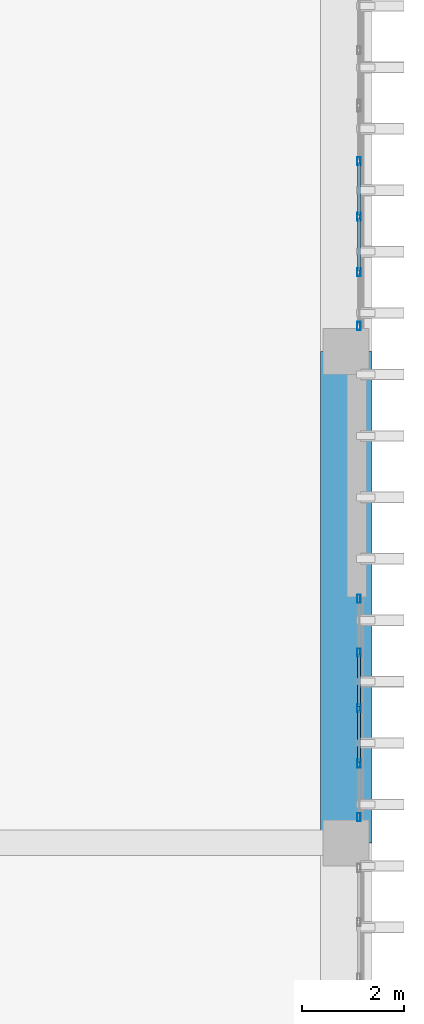
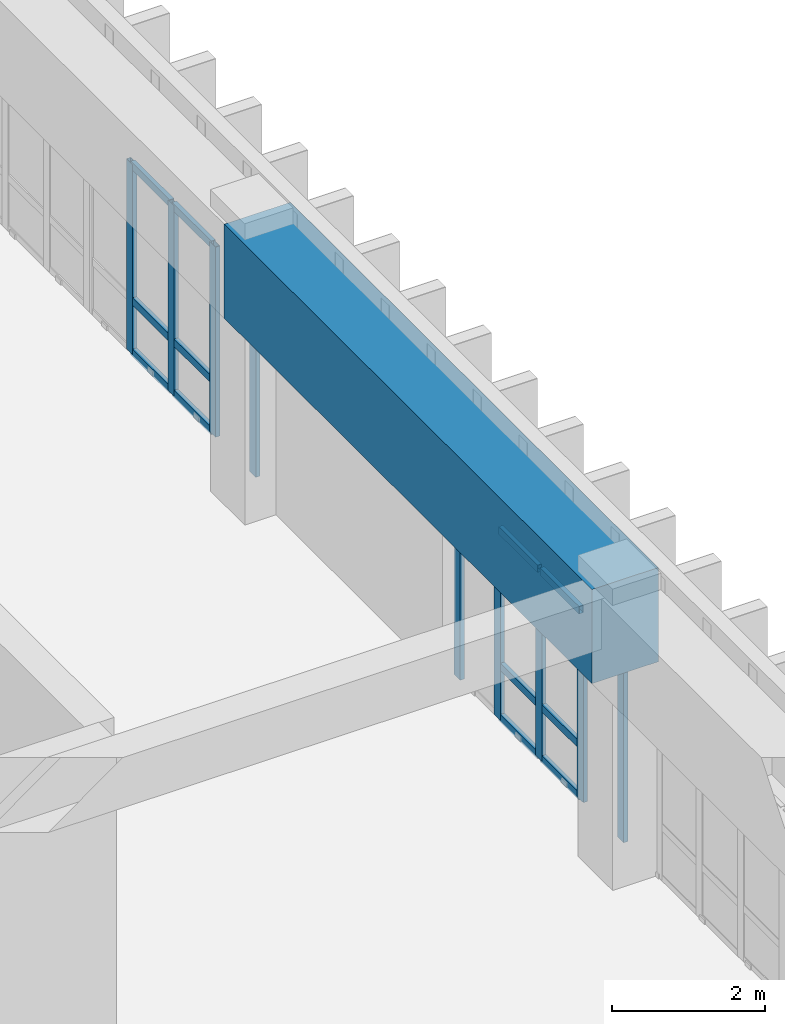
# One storey, part 42 of 101: 21 members, 1 beam, 2 elements without a shape of their own.
"""IFC4 building model written with IfcOpenShell, lengths in metres."""

import ifcopenshell
import ifcopenshell.guid

model = None  # the IFC model being written
_history = None  # IfcOwnerHistory: only IFC2X3 demands one
_inside = {}  # id of a spatial element -> (the spatial element, [elements in it])
_under = {}  # id of a project, library or spatial element -> (it, [spatial elements below it])
_declared = {}  # id of a project -> (the project, [libraries it declares])
_typed = {}  # id of a type object -> (the type object, [elements of that type])
_made_of = {}  # id of a material, layer set ... -> (it, [elements and type objects made of it])


def new_model(schema):
    """Start an empty IFC model of exactly this schema.

    Asked for "IFC4X3", IfcOpenShell would pick the latest addendum, in which some entities
    have other attributes; the version numbers below select the first issue.
    IFC2X3 requires an IfcOwnerHistory on every rooted entity: one is made here for all.
    """
    global model, _history
    if schema == "IFC4X3":
        model = ifcopenshell.file(schema_version=(4, 3, 0, 0))
    else:
        model = ifcopenshell.file(schema=schema)
    _inside.clear()
    _under.clear()
    _declared.clear()
    _typed.clear()
    _made_of.clear()
    _history = None
    if model.schema == "IFC2X3":
        org = make("IfcOrganization", Name="unknown")
        user = make(
            "IfcPersonAndOrganization",
            ThePerson=make("IfcPerson", FamilyName="unknown"),
            TheOrganization=org,
        )
        app = make(
            "IfcApplication",
            ApplicationDeveloper=org,
            Version="unknown",
            ApplicationFullName="unknown",
            ApplicationIdentifier="unknown",
        )
        _history = make(
            "IfcOwnerHistory",
            OwningUser=user,
            OwningApplication=app,
            ChangeAction="ADDED",
            CreationDate=0,
        )
    return model


def make(cls, **values):
    """One entity of the class cls with the attributes given. An attribute that is None is left unset."""
    return model.create_entity(
        cls, **{name: value for name, value in values.items() if value is not None}
    )


def rooted(cls, **values):
    """An entity with a GlobalId (a new one), such as an element, a storey or a relation."""
    return make(cls, GlobalId=ifcopenshell.guid.new(), OwnerHistory=_history, **values)


def si_unit(unit_type, name, prefix=None):
    """IfcSIUnit, for example si_unit("LENGTHUNIT", "METRE", prefix="MILLI")."""
    return make("IfcSIUnit", UnitType=unit_type, Prefix=prefix, Name=name)


def assignment(units):
    """IfcUnitAssignment: the units of a project."""
    return None if units is None else make("IfcUnitAssignment", Units=units)


def point(xyz):
    """IfcCartesianPoint."""
    return None if xyz is None else make("IfcCartesianPoint", Coordinates=xyz)


def direction(xyz):
    """IfcDirection."""
    return None if xyz is None else make("IfcDirection", DirectionRatios=xyz)


def frame(location, z_axis=None, x_axis=None):
    """IfcAxis2Placement3D, a coordinate frame: its origin and axes. An axis left out is left unset."""
    return make(
        "IfcAxis2Placement3D",
        Location=point(location),
        Axis=direction(z_axis),
        RefDirection=direction(x_axis),
    )


def frame_2d(location, x_axis=None):
    """IfcAxis2Placement2D, a coordinate frame in the plane: its origin and x axis."""
    return make(
        "IfcAxis2Placement2D", Location=point(location), RefDirection=direction(x_axis)
    )


def origin():
    """The frame at (0, 0, 0) with its axes left unset."""
    return frame((0.0, 0.0, 0.0))


def origin_2d():
    """The frame at (0, 0) in the plane with its x axis left unset."""
    return frame_2d((0.0, 0.0))


def place(relative_to, where):
    """IfcLocalPlacement: puts the frame where relative to a parent placement (None: the world)."""
    return make(
        "IfcLocalPlacement", PlacementRelTo=relative_to, RelativePlacement=where
    )


def context(
    kind, dimensions, precision=None, world=None, true_north=None, identifier=None
):
    """IfcGeometricRepresentationContext, for example the 3D "Model" context."""
    return make(
        "IfcGeometricRepresentationContext",
        ContextIdentifier=identifier,
        ContextType=kind,
        CoordinateSpaceDimension=dimensions,
        Precision=precision,
        WorldCoordinateSystem=world,
        TrueNorth=true_north,
    )


def subcontext(parent, identifier, kind, view, scale=None):
    """IfcGeometricRepresentationSubContext, for example "Body" below "Model"."""
    return make(
        "IfcGeometricRepresentationSubContext",
        ContextIdentifier=identifier,
        ContextType=kind,
        ParentContext=parent,
        TargetScale=scale,
        TargetView=view,
    )


def project(units=None, contexts=None):
    """IfcProject with its units and contexts."""
    return rooted(
        "IfcProject",
        Name="project",
        RepresentationContexts=contexts,
        UnitsInContext=assignment(units),
    )


def spatial(cls, under=None, at=None, **own):
    """A site, building, storey or space (cls), placed at a placement, below another one or the project."""
    s = rooted(cls, ObjectPlacement=at, **own)
    if under is not None:
        _under.setdefault(under.id(), (under, []))[1].append(s)
    return s


def profile(cls, at=None, kind="AREA", **sizes):
    """A parametric profile (cls). Its sizes go by their IFC names, for example OverallWidth=200.0."""
    return make(cls, ProfileType=kind, Position=at, **sizes)


def rectangle(**sizes):
    """IfcRectangleProfileDef."""
    return profile("IfcRectangleProfileDef", **sizes)


def hollow_rectangle(**sizes):
    """IfcRectangleHollowProfileDef."""
    return profile("IfcRectangleHollowProfileDef", **sizes)


def extrude(swept, where, along, depth):
    """IfcExtrudedAreaSolid: the profile swept, set in the frame where, extruded along a direction by depth."""
    return make(
        "IfcExtrudedAreaSolid",
        SweptArea=swept,
        Position=where,
        ExtrudedDirection=direction(along),
        Depth=depth,
    )


def shape(context_of_items, identifier, shape_type, items):
    """IfcShapeRepresentation: the items that make up one representation, for example the "Body"."""
    return make(
        "IfcShapeRepresentation",
        ContextOfItems=context_of_items,
        RepresentationIdentifier=identifier,
        RepresentationType=shape_type,
        Items=items,
    )


def material(Name=None, Category=None):
    """IfcMaterial."""
    return make("IfcMaterial", Name=Name, Category=Category)


def layer(
    of_material, thickness, ventilated=None, Name=None, Category=None, Priority=None
):
    """IfcMaterialLayer: one layer of a wall or slab, of a material (None: an air gap)."""
    return make(
        "IfcMaterialLayer",
        Material=of_material,
        LayerThickness=thickness,
        IsVentilated=ventilated,
        Name=Name,
        Category=Category,
        Priority=Priority,
    )


def layer_set(layers, Name=None):
    """IfcMaterialLayerSet."""
    return make("IfcMaterialLayerSet", MaterialLayers=layers, LayerSetName=Name)


def material_profile(
    of_material, cross_section, Name=None, Category=None, Priority=None
):
    """IfcMaterialProfile: a cross section and its material."""
    return make(
        "IfcMaterialProfile",
        Name=Name,
        Material=of_material,
        Profile=cross_section,
        Priority=Priority,
        Category=Category,
    )


def profile_set(profiles, Name=None, composite=None):
    """IfcMaterialProfileSet."""
    return make(
        "IfcMaterialProfileSet",
        Name=Name,
        MaterialProfiles=profiles,
        CompositeProfile=composite,
    )


def made_of(thing, what):
    """Note that an element or type object is made of a material, layer set ...; save() writes the relation."""
    if what is not None:
        _made_of.setdefault(what.id(), (what, []))[1].append(thing)
    return thing


def type_object(cls, material=None, **own):
    """A type object (cls), such as IfcWallType, which elements share."""
    return made_of(rooted(cls, **own), material)


def element(
    cls,
    number,
    at=None,
    inside=None,
    cuts=None,
    type_object=None,
    material=None,
    context=None,
    identifier="Body",
    shape_type=None,
    held_by="IfcProductDefinitionShape",
    body=None,
    shapes=None,
    **own,
):
    """One element of the class cls, such as IfcWall. Its Tag is "e" and its number.

    at: its placement. inside: the storey or other place that contains it. cuts: it is an
    opening in that element (IfcRelVoidsElement). A single representation is given by context,
    identifier, shape_type and body (its items); several are given by shapes. held_by: the class
    of the entity that holds the representations. save() writes the other relations.
    """
    e = rooted(cls, Tag="e%d" % number, ObjectPlacement=at, **own)
    if body is not None:
        shapes = [shape(context, identifier, shape_type, body)]
    if shapes is not None:
        e.Representation = make(held_by, Representations=shapes)
    if inside is not None:
        _inside.setdefault(inside.id(), (inside, []))[1].append(e)
    if cuts is not None:
        rooted(
            "IfcRelVoidsElement", RelatingBuildingElement=cuts, RelatedOpeningElement=e
        )
    if type_object is not None:
        _typed.setdefault(type_object.id(), (type_object, []))[1].append(e)
    return made_of(e, material)


def aggregate(whole, parts):
    """IfcRelAggregates: a whole, such as a stair, and the parts it consists of."""
    return rooted("IfcRelAggregates", RelatingObject=whole, RelatedObjects=parts)


def save(model, path):
    """Write the relations noted so far, then the file.

    IfcRelAggregates (storeys below a building ...), IfcRelContainedInSpatialStructure (elements
    in a storey), IfcRelDefinesByType, IfcRelAssociatesMaterial and IfcRelDeclares: one each for
    every whole, place, type object, material and project.
    """
    for whole, parts in _under.values():
        aggregate(whole, parts)
    for where, things in _inside.values():
        rooted(
            "IfcRelContainedInSpatialStructure",
            RelatedElements=things,
            RelatingStructure=where,
        )
    for kind, things in _typed.values():
        rooted("IfcRelDefinesByType", RelatedObjects=things, RelatingType=kind)
    for what, things in _made_of.values():
        rooted("IfcRelAssociatesMaterial", RelatedObjects=things, RelatingMaterial=what)
    for by, libraries in _declared.values():
        rooted("IfcRelDeclares", RelatingContext=by, RelatedDefinitions=libraries)
    model.write(path)


model = new_model("IFC4")

# Units and contexts
model_context = context("Model", 3, precision=1e-05, world=origin(), true_north=direction((0.0, 1.0)))
body_context = subcontext(model_context, "Body", "Model", "MODEL_VIEW")
ifc_project = project(units=[si_unit("LENGTHUNIT", "METRE"), si_unit("AREAUNIT", "SQUARE_METRE"), si_unit("VOLUMEUNIT", "CUBIC_METRE"), si_unit("PLANEANGLEUNIT", "RADIAN"), si_unit("MASSUNIT", "GRAM", prefix="KILO")], contexts=[model_context])

# Site, building, storey
site_placement = place(None, origin())
site = spatial("IfcSite", under=ifc_project, at=site_placement, CompositionType="ELEMENT")
building_placement = place(site_placement, origin())
building = spatial("IfcBuilding", under=site, at=building_placement, Name="Nakhvara Creek Congress Hotel", CompositionType="ELEMENT")
storey_placement = place(building_placement, frame((0.0, 0.0, 16.199951171875)))
storey = spatial("IfcBuildingStorey", under=building, at=storey_placement, Name="L03", CompositionType="ELEMENT", Elevation=16.199951171875)

# Beam
ifc_material_1 = material(Name="Concrete C50/60", Category="concrete")
ifc_material_profile_1 = material_profile(ifc_material_1, rectangle(XDim=1.0, YDim=1.5, at=origin_2d()), Name="RC-TG 1000x1500", Category="LoadBearing")
ifc_profile_set_1 = profile_set([ifc_material_profile_1], Name="Concrete C50/60")
beam_type = type_object("IfcBeamType", Name="BM-TG2-1500", PredefinedType="BEAM", material=ifc_profile_set_1)
beam_placement = place(storey_placement, frame((179.35009765625, 48.0, 3.7900390625), z_axis=(0.0, 1.0, 0.0), x_axis=(-1.0, 0.0, 0.0)))
element("IfcBeam", 1, at=beam_placement, inside=storey, type_object=beam_type, Name="Transfer Girder TG2-L03-1901", PredefinedType="BEAM", context=body_context, shape_type="SweptSolid", body=[
    extrude(rectangle(XDim=1.0, YDim=1.5, at=origin_2d()), origin(), (0.0, 0.0, 1.0), 9.60009765625),
])

# Curtain wall, members
ifc_material_2 = material(Name="Bronze-anodised aluminium AW-6063-T6 and double-silver low-E glass", Category="aluminium")
ifc_layer = layer(ifc_material_2, 0.199951171875)
ifc_layer_set = layer_set([ifc_layer], Name="Bronze-anodised aluminium AW-6063-T6 and double-silver low-E glass")
curtain_wall_type = type_object("IfcCurtainWallType", Name="CW-HTL-UNIT", PredefinedType="USERDEFINED", material=ifc_layer_set)
curtain_wall_1_placement = place(storey_placement, origin())
curtain_wall_1 = element("IfcCurtainWall", 2, at=curtain_wall_1_placement, inside=storey, type_object=curtain_wall_type, Name="Curtain Wall CW157", ObjectType="UNITISED", PredefinedType="USERDEFINED")
ifc_material_3 = material(Name="Bronze-anodised aluminium AW-6063-T6", Category="aluminium")
ifc_material_profile_2 = material_profile(ifc_material_3, hollow_rectangle(XDim=0.06494140625, YDim=0.159912109375, WallThickness=0.00390625, at=origin_2d()), Name="ALU-MULL 65x160x4", Category="LoadBearing")
ifc_profile_set_2 = profile_set([ifc_material_profile_2], Name="Bronze-anodised aluminium AW-6063-T6")
member_type_1 = type_object("IfcMemberType", Name="CW-MULL-160", PredefinedType="MULLION", material=ifc_profile_set_2)
member_1_placement = place(storey_placement, frame((179.60009765625, 52.767578125, 0.0), z_axis=(0.0, 0.0, 1.0), x_axis=(1.0, 0.0, 0.0)))
member_1 = element("IfcMember", 3, at=member_1_placement, type_object=member_type_1, Name="CW157 mullion 1", PredefinedType="MULLION", context=body_context, shape_type="SweptSolid", body=[
    extrude(hollow_rectangle(XDim=0.06494140625, YDim=0.159912109375, WallThickness=0.00390625, at=origin_2d()), origin(), (0.0, 0.0, 1.0), 3.031982421875),
])
member_2_placement = place(storey_placement, frame((179.60009765625, 51.71630859375, 0.0), z_axis=(0.0, 0.0, 1.0), x_axis=(1.0, 0.0, 0.0)))
member_2 = element("IfcMember", 4, at=member_2_placement, type_object=member_type_1, Name="CW157 mullion 2", PredefinedType="MULLION", context=body_context, shape_type="SweptSolid", body=[
    extrude(hollow_rectangle(XDim=0.06494140625, YDim=0.159912109375, WallThickness=0.00390625, at=origin_2d()), origin(), (0.0, 0.0, 1.0), 3.031982421875),
])
member_3_placement = place(storey_placement, frame((179.60009765625, 50.632568359375, 0.0), z_axis=(0.0, 0.0, 1.0), x_axis=(1.0, 0.0, 0.0)))
member_3 = element("IfcMember", 5, at=member_3_placement, type_object=member_type_1, Name="CW157 mullion 3", PredefinedType="MULLION", context=body_context, shape_type="SweptSolid", body=[
    extrude(hollow_rectangle(XDim=0.06494140625, YDim=0.159912109375, WallThickness=0.00390625, at=origin_2d()), origin(), (0.0, 0.0, 1.0), 3.031982421875),
])
member_4_placement = place(storey_placement, frame((179.60009765625, 49.548828125, 0.0), z_axis=(0.0, 0.0, 1.0), x_axis=(1.0, 0.0, 0.0)))
member_4 = element("IfcMember", 6, at=member_4_placement, type_object=member_type_1, Name="CW157 mullion 4", PredefinedType="MULLION", context=body_context, shape_type="SweptSolid", body=[
    extrude(hollow_rectangle(XDim=0.06494140625, YDim=0.159912109375, WallThickness=0.00390625, at=origin_2d()), origin(), (0.0, 0.0, 1.0), 3.031982421875),
])
member_5_placement = place(storey_placement, frame((179.60009765625, 48.49755859375, 0.0), z_axis=(0.0, 0.0, 1.0), x_axis=(1.0, 0.0, 0.0)))
member_5 = element("IfcMember", 7, at=member_5_placement, type_object=member_type_1, Name="CW157 mullion 5", PredefinedType="MULLION", context=body_context, shape_type="SweptSolid", body=[
    extrude(hollow_rectangle(XDim=0.06494140625, YDim=0.159912109375, WallThickness=0.00390625, at=origin_2d()), origin(), (0.0, 0.0, 1.0), 3.031982421875),
])

curtain_wall_2_placement = place(storey_placement, origin())
curtain_wall_2 = element("IfcCurtainWall", 8, at=curtain_wall_2_placement, inside=storey, type_object=curtain_wall_type, Name="Curtain Wall CW158", ObjectType="UNITISED", PredefinedType="USERDEFINED")
member_6_placement = place(storey_placement, frame((179.60009765625, 61.316162109375, 0.0), z_axis=(0.0, 0.0, 1.0), x_axis=(1.0, 0.0, 0.0)))
member_6 = element("IfcMember", 9, at=member_6_placement, type_object=member_type_1, Name="CW158 mullion 2", PredefinedType="MULLION", context=body_context, shape_type="SweptSolid", body=[
    extrude(hollow_rectangle(XDim=0.06494140625, YDim=0.159912109375, WallThickness=0.00390625, at=origin_2d()), origin(), (0.0, 0.0, 1.0), 3.031982421875),
])
member_7_placement = place(storey_placement, frame((179.60009765625, 60.232421875, 0.0), z_axis=(0.0, 0.0, 1.0), x_axis=(1.0, 0.0, 0.0)))
member_7 = element("IfcMember", 10, at=member_7_placement, type_object=member_type_1, Name="CW158 mullion 3", PredefinedType="MULLION", context=body_context, shape_type="SweptSolid", body=[
    extrude(hollow_rectangle(XDim=0.06494140625, YDim=0.159912109375, WallThickness=0.00390625, at=origin_2d()), origin(), (0.0, 0.0, 1.0), 3.031982421875),
])
member_8_placement = place(storey_placement, frame((179.60009765625, 59.148681640625, 0.0), z_axis=(0.0, 0.0, 1.0), x_axis=(1.0, 0.0, 0.0)))
member_8 = element("IfcMember", 11, at=member_8_placement, type_object=member_type_1, Name="CW158 mullion 4", PredefinedType="MULLION", context=body_context, shape_type="SweptSolid", body=[
    extrude(hollow_rectangle(XDim=0.06494140625, YDim=0.159912109375, WallThickness=0.00390625, at=origin_2d()), origin(), (0.0, 0.0, 1.0), 3.031982421875),
])
member_9_placement = place(storey_placement, frame((179.60009765625, 58.097412109375, 0.0), z_axis=(0.0, 0.0, 1.0), x_axis=(1.0, 0.0, 0.0)))
member_9 = element("IfcMember", 12, at=member_9_placement, type_object=member_type_1, Name="CW158 mullion 5", PredefinedType="MULLION", context=body_context, shape_type="SweptSolid", body=[
    extrude(hollow_rectangle(XDim=0.06494140625, YDim=0.159912109375, WallThickness=0.00390625, at=origin_2d()), origin(), (0.0, 0.0, 1.0), 3.031982421875),
])

# Member
ifc_material_profile_3 = material_profile(ifc_material_3, hollow_rectangle(XDim=0.06494140625, YDim=0.1201171875, WallThickness=0.00390625, at=origin_2d()), Name="ALU-TRAN 65x120x4", Category="LoadBearing")
ifc_profile_set_3 = profile_set([ifc_material_profile_3], Name="Bronze-anodised aluminium AW-6063-T6")
member_type_2 = type_object("IfcMemberType", Name="CW-TRAN-120", PredefinedType="USERDEFINED", material=ifc_profile_set_3)
member_10_placement = place(storey_placement, frame((179.60009765625, 51.683837890625, 0.032470703125), z_axis=(0.0, -1.0, 0.0), x_axis=(1.0, 0.0, 0.0)))
member_10 = element("IfcMember", 13, at=member_10_placement, type_object=member_type_2, Name="CW157 transom 2.1", ObjectType="TRANSOM", PredefinedType="USERDEFINED", context=body_context, shape_type="SweptSolid", body=[
    extrude(hollow_rectangle(XDim=0.06494140625, YDim=0.1201171875, WallThickness=0.00390625, at=origin_2d()), origin(), (0.0, 0.0, 1.0), 1.018798828125),
])

member_11_placement = place(storey_placement, frame((179.60009765625, 51.683837890625, 0.85009765625), z_axis=(0.0, -1.0, 0.0), x_axis=(1.0, 0.0, 0.0)))
member_11 = element("IfcMember", 14, at=member_11_placement, type_object=member_type_2, Name="CW157 transom 2.2", ObjectType="TRANSOM", PredefinedType="USERDEFINED", context=body_context, shape_type="SweptSolid", body=[
    extrude(hollow_rectangle(XDim=0.06494140625, YDim=0.1201171875, WallThickness=0.00390625, at=origin_2d()), origin(), (0.0, 0.0, 1.0), 1.018798828125),
])

member_12_placement = place(storey_placement, frame((179.60009765625, 51.683837890625, 2.99951171875), z_axis=(0.0, -1.0, 0.0), x_axis=(1.0, 0.0, 0.0)))
member_12 = element("IfcMember", 15, at=member_12_placement, type_object=member_type_2, Name="CW157 transom 2.3", ObjectType="TRANSOM", PredefinedType="USERDEFINED", context=body_context, shape_type="SweptSolid", body=[
    extrude(hollow_rectangle(XDim=0.06494140625, YDim=0.1201171875, WallThickness=0.00390625, at=origin_2d()), origin(), (0.0, 0.0, 1.0), 1.018798828125),
])

member_13_placement = place(storey_placement, frame((179.60009765625, 50.60009765625, 0.032470703125), z_axis=(0.0, -1.0, 0.0), x_axis=(1.0, 0.0, 0.0)))
member_13 = element("IfcMember", 16, at=member_13_placement, type_object=member_type_2, Name="CW157 transom 3.1", ObjectType="TRANSOM", PredefinedType="USERDEFINED", context=body_context, shape_type="SweptSolid", body=[
    extrude(hollow_rectangle(XDim=0.06494140625, YDim=0.1201171875, WallThickness=0.00390625, at=origin_2d()), origin(), (0.0, 0.0, 1.0), 1.018798828125),
])

member_14_placement = place(storey_placement, frame((179.60009765625, 50.60009765625, 0.85009765625), z_axis=(0.0, -1.0, 0.0), x_axis=(1.0, 0.0, 0.0)))
member_14 = element("IfcMember", 17, at=member_14_placement, type_object=member_type_2, Name="CW157 transom 3.2", ObjectType="TRANSOM", PredefinedType="USERDEFINED", context=body_context, shape_type="SweptSolid", body=[
    extrude(hollow_rectangle(XDim=0.06494140625, YDim=0.1201171875, WallThickness=0.00390625, at=origin_2d()), origin(), (0.0, 0.0, 1.0), 1.018798828125),
])

member_15_placement = place(storey_placement, frame((179.60009765625, 50.60009765625, 2.99951171875), z_axis=(0.0, -1.0, 0.0), x_axis=(1.0, 0.0, 0.0)))
member_15 = element("IfcMember", 18, at=member_15_placement, type_object=member_type_2, Name="CW157 transom 3.3", ObjectType="TRANSOM", PredefinedType="USERDEFINED", context=body_context, shape_type="SweptSolid", body=[
    extrude(hollow_rectangle(XDim=0.06494140625, YDim=0.1201171875, WallThickness=0.00390625, at=origin_2d()), origin(), (0.0, 0.0, 1.0), 1.018798828125),
])

aggregate(curtain_wall_1, [member_1, member_2, member_3, member_4, member_5, member_10, member_11, member_12, member_13, member_14, member_15])

member_16_placement = place(storey_placement, frame((179.60009765625, 61.28369140625, 0.032470703125), z_axis=(0.0, -1.0, 0.0), x_axis=(1.0, 0.0, 0.0)))
member_16 = element("IfcMember", 19, at=member_16_placement, type_object=member_type_2, Name="CW158 transom 2.1", ObjectType="TRANSOM", PredefinedType="USERDEFINED", context=body_context, shape_type="SweptSolid", body=[
    extrude(hollow_rectangle(XDim=0.06494140625, YDim=0.1201171875, WallThickness=0.00390625, at=origin_2d()), origin(), (0.0, 0.0, 1.0), 1.018798828125),
])

member_17_placement = place(storey_placement, frame((179.60009765625, 61.28369140625, 0.85009765625), z_axis=(0.0, -1.0, 0.0), x_axis=(1.0, 0.0, 0.0)))
member_17 = element("IfcMember", 20, at=member_17_placement, type_object=member_type_2, Name="CW158 transom 2.2", ObjectType="TRANSOM", PredefinedType="USERDEFINED", context=body_context, shape_type="SweptSolid", body=[
    extrude(hollow_rectangle(XDim=0.06494140625, YDim=0.1201171875, WallThickness=0.00390625, at=origin_2d()), origin(), (0.0, 0.0, 1.0), 1.018798828125),
])

member_18_placement = place(storey_placement, frame((179.60009765625, 61.28369140625, 2.99951171875), z_axis=(0.0, -1.0, 0.0), x_axis=(1.0, 0.0, 0.0)))
member_18 = element("IfcMember", 21, at=member_18_placement, type_object=member_type_2, Name="CW158 transom 2.3", ObjectType="TRANSOM", PredefinedType="USERDEFINED", context=body_context, shape_type="SweptSolid", body=[
    extrude(hollow_rectangle(XDim=0.06494140625, YDim=0.1201171875, WallThickness=0.00390625, at=origin_2d()), origin(), (0.0, 0.0, 1.0), 1.018798828125),
])

member_19_placement = place(storey_placement, frame((179.60009765625, 60.199951171875, 0.032470703125), z_axis=(0.0, -1.0, 0.0), x_axis=(1.0, 0.0, 0.0)))
member_19 = element("IfcMember", 22, at=member_19_placement, type_object=member_type_2, Name="CW158 transom 3.1", ObjectType="TRANSOM", PredefinedType="USERDEFINED", context=body_context, shape_type="SweptSolid", body=[
    extrude(hollow_rectangle(XDim=0.06494140625, YDim=0.1201171875, WallThickness=0.00390625, at=origin_2d()), origin(), (0.0, 0.0, 1.0), 1.018798828125),
])

member_20_placement = place(storey_placement, frame((179.60009765625, 60.199951171875, 0.85009765625), z_axis=(0.0, -1.0, 0.0), x_axis=(1.0, 0.0, 0.0)))
member_20 = element("IfcMember", 23, at=member_20_placement, type_object=member_type_2, Name="CW158 transom 3.2", ObjectType="TRANSOM", PredefinedType="USERDEFINED", context=body_context, shape_type="SweptSolid", body=[
    extrude(hollow_rectangle(XDim=0.06494140625, YDim=0.1201171875, WallThickness=0.00390625, at=origin_2d()), origin(), (0.0, 0.0, 1.0), 1.018798828125),
])

member_21_placement = place(storey_placement, frame((179.60009765625, 60.199951171875, 2.99951171875), z_axis=(0.0, -1.0, 0.0), x_axis=(1.0, 0.0, 0.0)))
member_21 = element("IfcMember", 24, at=member_21_placement, type_object=member_type_2, Name="CW158 transom 3.3", ObjectType="TRANSOM", PredefinedType="USERDEFINED", context=body_context, shape_type="SweptSolid", body=[
    extrude(hollow_rectangle(XDim=0.06494140625, YDim=0.1201171875, WallThickness=0.00390625, at=origin_2d()), origin(), (0.0, 0.0, 1.0), 1.018798828125),
])

aggregate(curtain_wall_2, [member_6, member_7, member_8, member_9, member_16, member_17, member_18, member_19, member_20, member_21])

save(model, "model.ifc")
